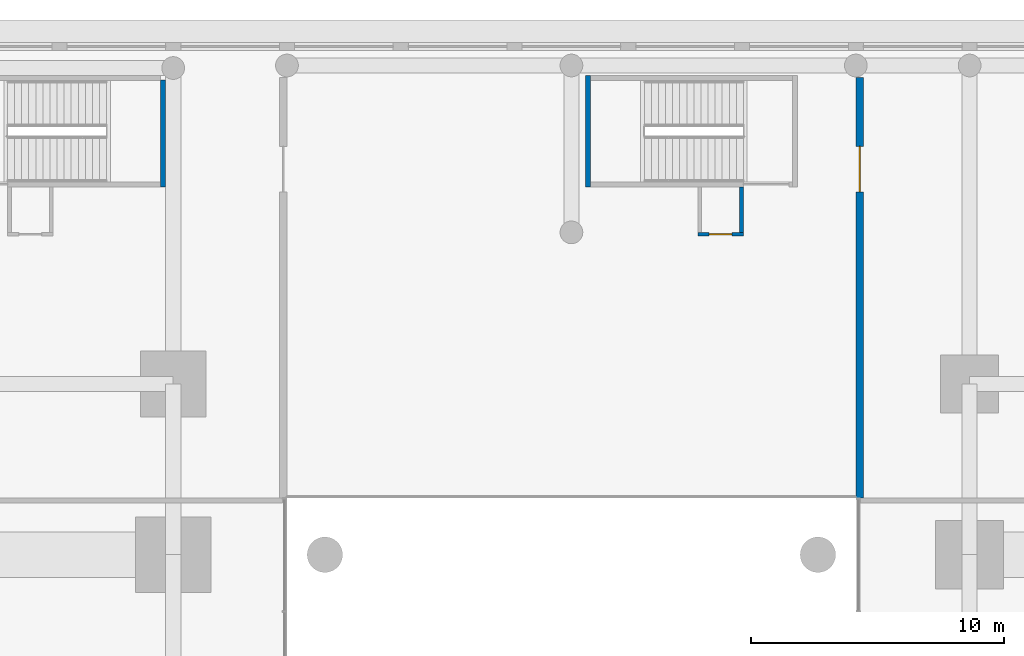
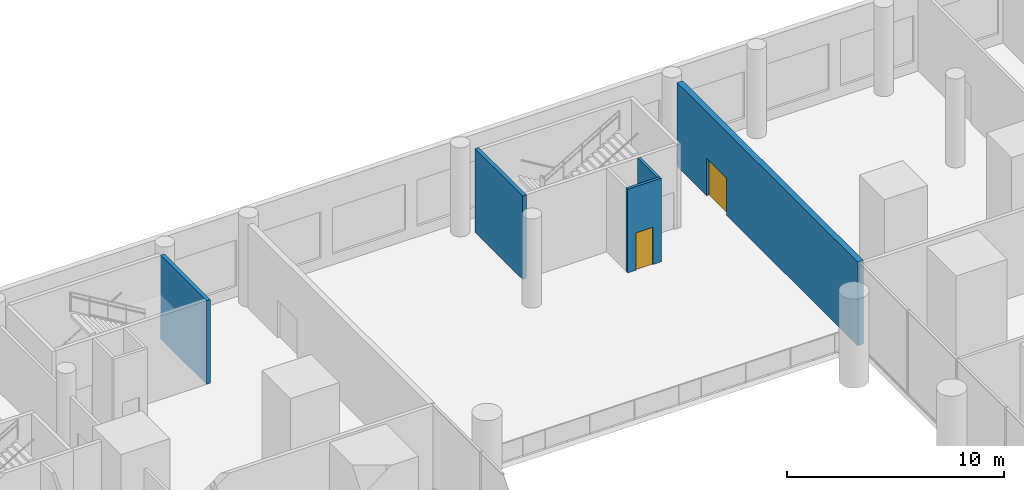
# One storey, part 13 of 21: 5 walls, 2 doors, 2 openings.
"""IFC4 building model written with IfcOpenShell, lengths in metres."""

from ifc_helpers import new_model, si_unit, direction, frame, frame_2d, origin, place, context, subcontext, project, spatial, rectangle, extrude, material, layer, layer_set, type_object, element, fill, save


model = new_model("IFC4")

# Units and contexts
model_context = context("Model", 3, precision=1e-05, world=origin(), true_north=direction((0.0, 1.0)))
body_context = subcontext(model_context, "Body", "Model", "MODEL_VIEW")
ifc_project = project(units=[si_unit("LENGTHUNIT", "METRE"), si_unit("AREAUNIT", "SQUARE_METRE"), si_unit("VOLUMEUNIT", "CUBIC_METRE"), si_unit("PLANEANGLEUNIT", "RADIAN"), si_unit("MASSUNIT", "GRAM", prefix="KILO")], contexts=[model_context])

# Site, building, storey
site_placement = place(None, origin())
site = spatial("IfcSite", under=ifc_project, at=site_placement, CompositionType="ELEMENT")
building_placement = place(site_placement, origin())
building = spatial("IfcBuilding", under=site, at=building_placement, Name="Namib Vertical Campus", CompositionType="ELEMENT")
storey_placement = place(building_placement, frame((0.0, 0.0, 6.0)))
storey = spatial("IfcBuildingStorey", under=building, at=storey_placement, Name="L01", CompositionType="ELEMENT", Elevation=6.0)

# Wall, opening, door
ifc_material_1 = material(Name="Concrete masonry", Category="masonry")
ifc_layer_1 = layer(ifc_material_1, 0.300048828125)
ifc_layer_set_1 = layer_set([ifc_layer_1], Name="Fire wall 300")
wall_type_1 = type_object("IfcWallType", Name="Fire wall 300", PredefinedType="SOLIDWALL", material=ifc_layer_set_1)
wall_1_placement = place(storey_placement, frame((63.14990234375, 31.5, 0.0), z_axis=(0.0, 0.0, 1.0), x_axis=(0.0, 1.0, 0.0)))
wall_1 = element("IfcWall", 1, at=wall_1_placement, inside=storey, type_object=wall_type_1, Name="Fire wall B L01", PredefinedType="SOLIDWALL", context=body_context, shape_type="SweptSolid", body=[
    extrude(rectangle(XDim=16.6298828125, YDim=0.300048828125, at=frame_2d((8.31494140625, 0.0))), origin(), (0.0, 0.0, 1.0), 4.699951171875),
])
opening_1_placement = place(wall_1_placement, frame((12.10009765625, 0.0, 0.0)))
opening_1 = element("IfcOpeningElement", 2, at=opening_1_placement, cuts=wall_1, Name="Opening FD2", PredefinedType="OPENING", context=body_context, shape_type="SweptSolid", body=[
    extrude(rectangle(XDim=1.800048828125, YDim=2.10009765625, at=frame_2d((0.89990234375, 1.050048828125))), frame((0.0, 0.159912109375, 0.0), z_axis=(0.0, -1.0, 0.0), x_axis=(1.0, 0.0, 0.0)), (0.0, 0.0, 1.0), 0.320068359375),
])
ifc_material_2 = material(Name="Steel fire door", Category="steel")
door_type_1 = type_object("IfcDoorType", Name="Fire door double 1800x2100", OperationType="DOUBLE_DOOR_SINGLE_SWING", PredefinedType="DOOR", material=ifc_material_2)
door_1_placement = place(opening_1_placement, origin())
door_1 = element("IfcDoor", 3, at=door_1_placement, inside=storey, type_object=door_type_1, Name="Door FD2 middle B L01 2", OperationType="DOUBLE_DOOR_SINGLE_SWING", OverallHeight=2.10009765625, OverallWidth=1.800048828125, PredefinedType="DOOR", context=body_context, shape_type="SweptSolid", body=[
    extrude(rectangle(XDim=1.800048828125, YDim=2.10009765625, at=frame_2d((0.89990234375, 1.050048828125))), frame((0.0, 0.02490234375, 0.0), z_axis=(0.0, -1.0, 0.0), x_axis=(1.0, 0.0, 0.0)), (0.0, 0.0, 1.0), 0.050048828125),
])
fill(opening_1, door_1)

# Wall
ifc_material_3 = material(Name="Gypsum board on steel studs", Category="steel")
ifc_layer_2 = layer(ifc_material_3, 0.14990234375)
ifc_layer_set_2 = layer_set([ifc_layer_2], Name="Gypsum board on steel studs")
wall_type_2 = type_object("IfcWallType", Name="Partition 150", PredefinedType="PARTITIONING", material=ifc_layer_set_2)
wall_2_placement = place(storey_placement, frame((58.47509765625, 42.0, 0.0), z_axis=(0.0, 0.0, 1.0), x_axis=(0.0, 1.0, 0.0)))
element("IfcWall", 4, at=wall_2_placement, inside=storey, type_object=wall_type_2, Name="Refuge cell partition P-S3 L01", PredefinedType="PARTITIONING", context=body_context, shape_type="SweptSolid", body=[
    extrude(rectangle(XDim=1.800048828125, YDim=0.14990234375, at=frame_2d((0.89990234375, 0.0))), origin(), (0.0, 0.0, 1.0), 4.699951171875),
])

# Wall, opening, door
wall_3_placement = place(storey_placement, frame((56.75, 41.925048828125, 0.0), z_axis=(0.0, 0.0, 1.0), x_axis=(1.0, 0.0, 0.0)))
wall_3 = element("IfcWall", 5, at=wall_3_placement, inside=storey, type_object=wall_type_2, Name="Refuge cell partition P-S3 L01", PredefinedType="PARTITIONING", context=body_context, shape_type="SweptSolid", body=[
    extrude(rectangle(XDim=1.800048828125, YDim=0.14990234375, at=frame_2d((0.89990234375, 0.0))), origin(), (0.0, 0.0, 1.0), 4.699951171875),
])
opening_2_placement = place(wall_3_placement, frame((0.449951171875, 0.0, 0.0)))
opening_2 = element("IfcOpeningElement", 6, at=opening_2_placement, cuts=wall_3, Name="Opening RD2", PredefinedType="OPENING", context=body_context, shape_type="SweptSolid", body=[
    extrude(rectangle(XDim=0.89990234375, YDim=2.10009765625, at=frame_2d((0.449951171875, 1.050048828125))), frame((0.0, 0.0849609375, 0.0), z_axis=(0.0, -1.0, 0.0), x_axis=(1.0, 0.0, 0.0)), (0.0, 0.0, 1.0), 0.169921875),
])
ifc_material_4 = material(Name="Timber fire door leaf", Category="wood")
door_type_2 = type_object("IfcDoorType", Name="Refuge cell door 900x2100 30 min", OperationType="SINGLE_SWING_LEFT", PredefinedType="DOOR", material=ifc_material_4)
door_2_placement = place(opening_2_placement, origin())
door_2 = element("IfcDoor", 7, at=door_2_placement, inside=storey, type_object=door_type_2, Name="Door RD2 Refuge area P-S3 L01", OperationType="SINGLE_SWING_LEFT", OverallHeight=2.10009765625, OverallWidth=0.89990234375, PredefinedType="DOOR", context=body_context, shape_type="SweptSolid", body=[
    extrude(rectangle(XDim=0.89990234375, YDim=2.10009765625, at=frame_2d((0.449951171875, 1.050048828125))), frame((0.0, 0.02490234375, 0.0), z_axis=(0.0, -1.0, 0.0), x_axis=(1.0, 0.0, 0.0)), (0.0, 0.0, 1.0), 0.050048828125),
])
fill(opening_2, door_2)

# Walls
ifc_material_5 = material(Name="Concrete C40/50", Category="concrete")
ifc_layer_3 = layer(ifc_material_5, 0.199951171875)
ifc_layer_set_3 = layer_set([ifc_layer_3], Name="Concrete C40/50")
wall_type_3 = type_object("IfcWallType", Name="Stair enclosure wall RC 200", PredefinedType="SOLIDWALL", material=ifc_layer_set_3)
wall_4_placement = place(storey_placement, frame((35.60009765625, 43.800048828125, 0.0), z_axis=(0.0, 0.0, 1.0), x_axis=(0.0, 1.0, 0.0)))
element("IfcWall", 8, at=wall_4_placement, inside=storey, type_object=wall_type_3, Name="Stair enclosure wall P-S1 L01 E", PredefinedType="SOLIDWALL", context=body_context, shape_type="SweptSolid", body=[
    extrude(rectangle(XDim=4.22998046875, YDim=0.199951171875, at=frame_2d((2.114990234375, 0.0))), origin(), (0.0, 0.0, 1.0), 4.699951171875),
])
wall_5_placement = place(storey_placement, frame((52.39990234375, 43.800048828125, 0.0), z_axis=(0.0, 0.0, 1.0), x_axis=(0.0, 1.0, 0.0)))
element("IfcWall", 9, at=wall_5_placement, inside=storey, type_object=wall_type_3, Name="Stair enclosure wall P-S3 L01 W", PredefinedType="SOLIDWALL", context=body_context, shape_type="SweptSolid", body=[
    extrude(rectangle(XDim=4.39990234375, YDim=0.199951171875, at=frame_2d((2.199951171875, 0.0))), origin(), (0.0, 0.0, 1.0), 4.699951171875),
])

save(model, "model.ifc")
